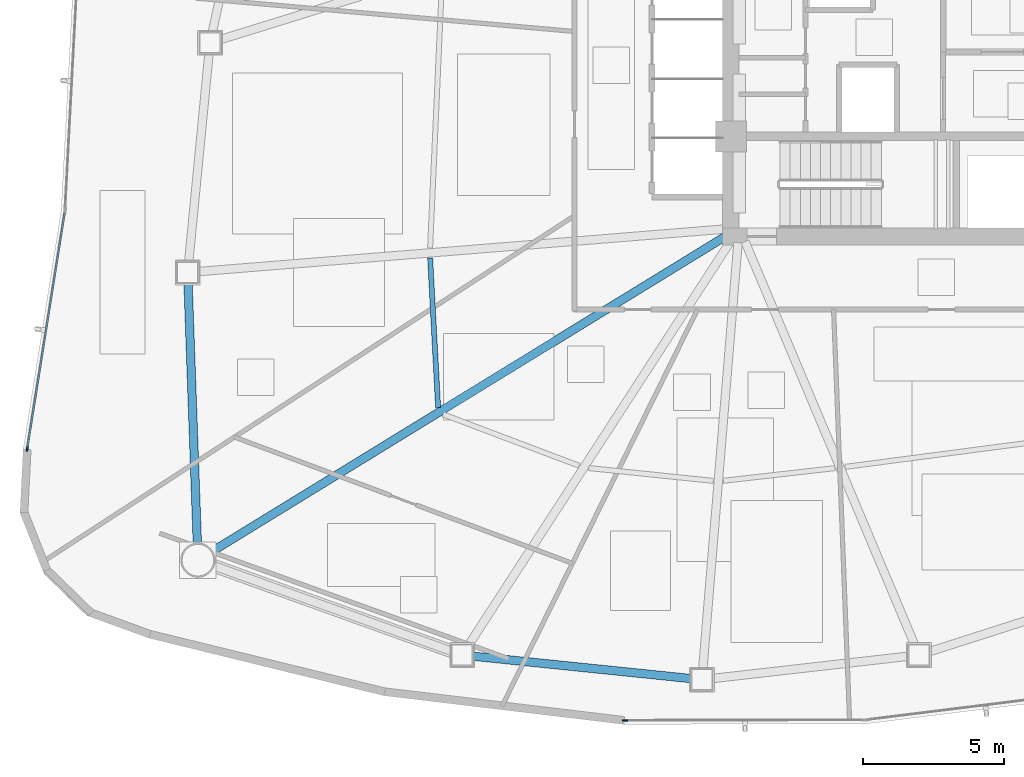
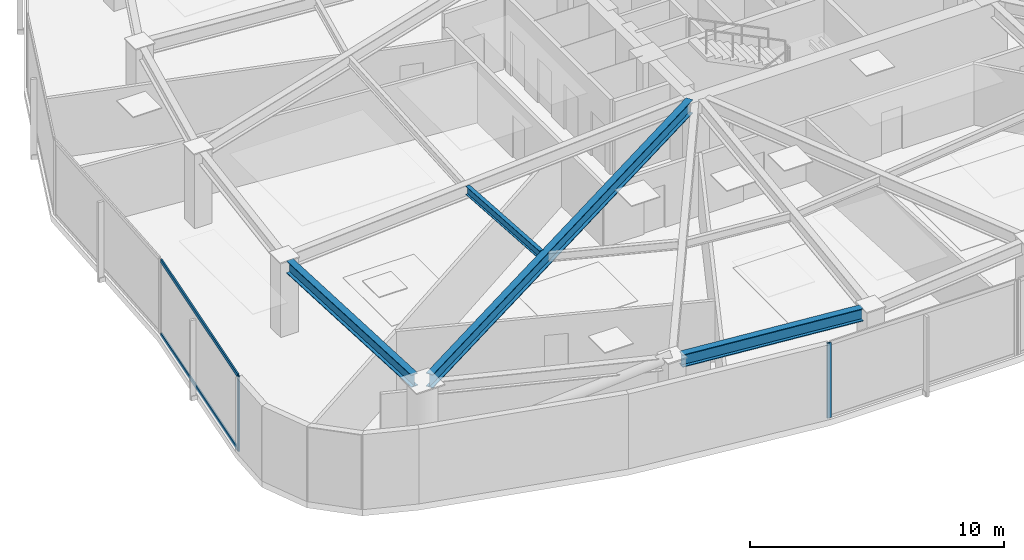
# One storey, part 2 of 17: 4 beams, 4 members, 2 elements without a shape of their own.
"""IFC4 building model written with IfcOpenShell, lengths in metres."""

import ifcopenshell
import ifcopenshell.guid

model = None  # the IFC model being written
_history = None  # IfcOwnerHistory: only IFC2X3 demands one
_inside = {}  # id of a spatial element -> (the spatial element, [elements in it])
_under = {}  # id of a project, library or spatial element -> (it, [spatial elements below it])
_declared = {}  # id of a project -> (the project, [libraries it declares])
_typed = {}  # id of a type object -> (the type object, [elements of that type])
_made_of = {}  # id of a material, layer set ... -> (it, [elements and type objects made of it])


def new_model(schema):
    """Start an empty IFC model of exactly this schema.

    Asked for "IFC4X3", IfcOpenShell would pick the latest addendum, in which some entities
    have other attributes; the version numbers below select the first issue.
    IFC2X3 requires an IfcOwnerHistory on every rooted entity: one is made here for all.
    """
    global model, _history
    if schema == "IFC4X3":
        model = ifcopenshell.file(schema_version=(4, 3, 0, 0))
    else:
        model = ifcopenshell.file(schema=schema)
    _inside.clear()
    _under.clear()
    _declared.clear()
    _typed.clear()
    _made_of.clear()
    _history = None
    if model.schema == "IFC2X3":
        org = make("IfcOrganization", Name="unknown")
        user = make(
            "IfcPersonAndOrganization",
            ThePerson=make("IfcPerson", FamilyName="unknown"),
            TheOrganization=org,
        )
        app = make(
            "IfcApplication",
            ApplicationDeveloper=org,
            Version="unknown",
            ApplicationFullName="unknown",
            ApplicationIdentifier="unknown",
        )
        _history = make(
            "IfcOwnerHistory",
            OwningUser=user,
            OwningApplication=app,
            ChangeAction="ADDED",
            CreationDate=0,
        )
    return model


def make(cls, **values):
    """One entity of the class cls with the attributes given. An attribute that is None is left unset."""
    return model.create_entity(
        cls, **{name: value for name, value in values.items() if value is not None}
    )


def rooted(cls, **values):
    """An entity with a GlobalId (a new one), such as an element, a storey or a relation."""
    return make(cls, GlobalId=ifcopenshell.guid.new(), OwnerHistory=_history, **values)


def si_unit(unit_type, name, prefix=None):
    """IfcSIUnit, for example si_unit("LENGTHUNIT", "METRE", prefix="MILLI")."""
    return make("IfcSIUnit", UnitType=unit_type, Prefix=prefix, Name=name)


def assignment(units):
    """IfcUnitAssignment: the units of a project."""
    return None if units is None else make("IfcUnitAssignment", Units=units)


def point(xyz):
    """IfcCartesianPoint."""
    return None if xyz is None else make("IfcCartesianPoint", Coordinates=xyz)


def direction(xyz):
    """IfcDirection."""
    return None if xyz is None else make("IfcDirection", DirectionRatios=xyz)


def frame(location, z_axis=None, x_axis=None):
    """IfcAxis2Placement3D, a coordinate frame: its origin and axes. An axis left out is left unset."""
    return make(
        "IfcAxis2Placement3D",
        Location=point(location),
        Axis=direction(z_axis),
        RefDirection=direction(x_axis),
    )


def frame_2d(location, x_axis=None):
    """IfcAxis2Placement2D, a coordinate frame in the plane: its origin and x axis."""
    return make(
        "IfcAxis2Placement2D", Location=point(location), RefDirection=direction(x_axis)
    )


def origin():
    """The frame at (0, 0, 0) with its axes left unset."""
    return frame((0.0, 0.0, 0.0))


def origin_2d():
    """The frame at (0, 0) in the plane with its x axis left unset."""
    return frame_2d((0.0, 0.0))


def place(relative_to, where):
    """IfcLocalPlacement: puts the frame where relative to a parent placement (None: the world)."""
    return make(
        "IfcLocalPlacement", PlacementRelTo=relative_to, RelativePlacement=where
    )


def context(
    kind, dimensions, precision=None, world=None, true_north=None, identifier=None
):
    """IfcGeometricRepresentationContext, for example the 3D "Model" context."""
    return make(
        "IfcGeometricRepresentationContext",
        ContextIdentifier=identifier,
        ContextType=kind,
        CoordinateSpaceDimension=dimensions,
        Precision=precision,
        WorldCoordinateSystem=world,
        TrueNorth=true_north,
    )


def subcontext(parent, identifier, kind, view, scale=None):
    """IfcGeometricRepresentationSubContext, for example "Body" below "Model"."""
    return make(
        "IfcGeometricRepresentationSubContext",
        ContextIdentifier=identifier,
        ContextType=kind,
        ParentContext=parent,
        TargetScale=scale,
        TargetView=view,
    )


def project(units=None, contexts=None):
    """IfcProject with its units and contexts."""
    return rooted(
        "IfcProject",
        Name="project",
        RepresentationContexts=contexts,
        UnitsInContext=assignment(units),
    )


def spatial(cls, under=None, at=None, **own):
    """A site, building, storey or space (cls), placed at a placement, below another one or the project."""
    s = rooted(cls, ObjectPlacement=at, **own)
    if under is not None:
        _under.setdefault(under.id(), (under, []))[1].append(s)
    return s


def profile(cls, at=None, kind="AREA", **sizes):
    """A parametric profile (cls). Its sizes go by their IFC names, for example OverallWidth=200.0."""
    return make(cls, ProfileType=kind, Position=at, **sizes)


def hollow_rectangle(**sizes):
    """IfcRectangleHollowProfileDef."""
    return profile("IfcRectangleHollowProfileDef", **sizes)


def i_section(**sizes):
    """IfcIShapeProfileDef."""
    return profile("IfcIShapeProfileDef", **sizes)


def extrude(swept, where, along, depth):
    """IfcExtrudedAreaSolid: the profile swept, set in the frame where, extruded along a direction by depth."""
    return make(
        "IfcExtrudedAreaSolid",
        SweptArea=swept,
        Position=where,
        ExtrudedDirection=direction(along),
        Depth=depth,
    )


def shape(context_of_items, identifier, shape_type, items):
    """IfcShapeRepresentation: the items that make up one representation, for example the "Body"."""
    return make(
        "IfcShapeRepresentation",
        ContextOfItems=context_of_items,
        RepresentationIdentifier=identifier,
        RepresentationType=shape_type,
        Items=items,
    )


def source(mapping_origin, context_of_items, identifier, shape_type, items):
    """IfcRepresentationMap: a shape defined once, which mapped items show again and again."""
    return make(
        "IfcRepresentationMap",
        MappingOrigin=mapping_origin,
        MappedRepresentation=shape(context_of_items, identifier, shape_type, items),
    )


def transform(
    local_origin,
    x_axis=None,
    y_axis=None,
    z_axis=None,
    scale=None,
    scale2=None,
    scale3=None,
    uniform=True,
):
    """IfcCartesianTransformationOperator3D, or its non-uniform kind. x_axis, y_axis, z_axis: its Axis1, 2, 3."""
    if uniform:
        return make(
            "IfcCartesianTransformationOperator3D",
            Axis1=direction(x_axis),
            Axis2=direction(y_axis),
            LocalOrigin=point(local_origin),
            Scale=scale,
            Axis3=direction(z_axis),
        )
    return make(
        "IfcCartesianTransformationOperator3DnonUniform",
        Axis1=direction(x_axis),
        Axis2=direction(y_axis),
        LocalOrigin=point(local_origin),
        Scale=scale,
        Axis3=direction(z_axis),
        Scale2=scale2,
        Scale3=scale3,
    )


def mapped(mapping_source, mapping_target):
    """IfcMappedItem: shows the shape of a source again, moved by a transform."""
    return make(
        "IfcMappedItem", MappingSource=mapping_source, MappingTarget=mapping_target
    )


def material(Name=None, Category=None):
    """IfcMaterial."""
    return make("IfcMaterial", Name=Name, Category=Category)


def layer(
    of_material, thickness, ventilated=None, Name=None, Category=None, Priority=None
):
    """IfcMaterialLayer: one layer of a wall or slab, of a material (None: an air gap)."""
    return make(
        "IfcMaterialLayer",
        Material=of_material,
        LayerThickness=thickness,
        IsVentilated=ventilated,
        Name=Name,
        Category=Category,
        Priority=Priority,
    )


def layer_set(layers, Name=None):
    """IfcMaterialLayerSet."""
    return make("IfcMaterialLayerSet", MaterialLayers=layers, LayerSetName=Name)


def material_profile(
    of_material, cross_section, Name=None, Category=None, Priority=None
):
    """IfcMaterialProfile: a cross section and its material."""
    return make(
        "IfcMaterialProfile",
        Name=Name,
        Material=of_material,
        Profile=cross_section,
        Priority=Priority,
        Category=Category,
    )


def profile_set(profiles, Name=None, composite=None):
    """IfcMaterialProfileSet."""
    return make(
        "IfcMaterialProfileSet",
        Name=Name,
        MaterialProfiles=profiles,
        CompositeProfile=composite,
    )


def made_of(thing, what):
    """Note that an element or type object is made of a material, layer set ...; save() writes the relation."""
    if what is not None:
        _made_of.setdefault(what.id(), (what, []))[1].append(thing)
    return thing


def type_object(cls, material=None, **own):
    """A type object (cls), such as IfcWallType, which elements share."""
    return made_of(rooted(cls, **own), material)


def type_shapes(of_type, sources):
    """Give a type object the sources (RepresentationMaps) that its elements show as mapped items."""
    of_type.RepresentationMaps = sources


def element(
    cls,
    number,
    at=None,
    inside=None,
    cuts=None,
    type_object=None,
    material=None,
    context=None,
    identifier="Body",
    shape_type=None,
    held_by="IfcProductDefinitionShape",
    body=None,
    shapes=None,
    **own,
):
    """One element of the class cls, such as IfcWall. Its Tag is "e" and its number.

    at: its placement. inside: the storey or other place that contains it. cuts: it is an
    opening in that element (IfcRelVoidsElement). A single representation is given by context,
    identifier, shape_type and body (its items); several are given by shapes. held_by: the class
    of the entity that holds the representations. save() writes the other relations.
    """
    e = rooted(cls, Tag="e%d" % number, ObjectPlacement=at, **own)
    if body is not None:
        shapes = [shape(context, identifier, shape_type, body)]
    if shapes is not None:
        e.Representation = make(held_by, Representations=shapes)
    if inside is not None:
        _inside.setdefault(inside.id(), (inside, []))[1].append(e)
    if cuts is not None:
        rooted(
            "IfcRelVoidsElement", RelatingBuildingElement=cuts, RelatedOpeningElement=e
        )
    if type_object is not None:
        _typed.setdefault(type_object.id(), (type_object, []))[1].append(e)
    return made_of(e, material)


def aggregate(whole, parts):
    """IfcRelAggregates: a whole, such as a stair, and the parts it consists of."""
    return rooted("IfcRelAggregates", RelatingObject=whole, RelatedObjects=parts)


def save(model, path):
    """Write the relations noted so far, then the file.

    IfcRelAggregates (storeys below a building ...), IfcRelContainedInSpatialStructure (elements
    in a storey), IfcRelDefinesByType, IfcRelAssociatesMaterial and IfcRelDeclares: one each for
    every whole, place, type object, material and project.
    """
    for whole, parts in _under.values():
        aggregate(whole, parts)
    for where, things in _inside.values():
        rooted(
            "IfcRelContainedInSpatialStructure",
            RelatedElements=things,
            RelatingStructure=where,
        )
    for kind, things in _typed.values():
        rooted("IfcRelDefinesByType", RelatedObjects=things, RelatingType=kind)
    for what, things in _made_of.values():
        rooted("IfcRelAssociatesMaterial", RelatedObjects=things, RelatingMaterial=what)
    for by, libraries in _declared.values():
        rooted("IfcRelDeclares", RelatingContext=by, RelatedDefinitions=libraries)
    model.write(path)


model = new_model("IFC4")

# Units and contexts
model_context = context("Model", 3, precision=1e-05, world=origin(), true_north=direction((0.0, 1.0)))
body_context = subcontext(model_context, "Body", "Model", "MODEL_VIEW")
ifc_project = project(units=[si_unit("LENGTHUNIT", "METRE"), si_unit("AREAUNIT", "SQUARE_METRE"), si_unit("VOLUMEUNIT", "CUBIC_METRE"), si_unit("PLANEANGLEUNIT", "RADIAN"), si_unit("MASSUNIT", "GRAM", prefix="KILO")], contexts=[model_context])

# Site, building, storey
site_placement = place(None, origin())
site = spatial("IfcSite", under=ifc_project, at=site_placement, CompositionType="ELEMENT")
building_placement = place(site_placement, origin())
building = spatial("IfcBuilding", under=site, at=building_placement, Name="Tavelor Broadcast Tower", CompositionType="ELEMENT")
storey_placement = place(building_placement, frame((0.0, 0.0, 39.300048828125)))
storey = spatial("IfcBuildingStorey", under=building, at=storey_placement, Name="L08", CompositionType="ELEMENT", Elevation=39.300048828125)

# Beams
ifc_material_1 = material(Name="Steel S355", Category="steel")
ifc_material_profile_1 = material_profile(ifc_material_1, i_section(OverallWidth=0.179931640625, OverallDepth=0.39990234375, WebThickness=0.008544921875, FlangeThickness=0.013427734375, at=origin_2d()), Name="IPE 400")
ifc_profile_set_1 = profile_set([ifc_material_profile_1], Name="Steel S355")
beam_type_1 = type_object("IfcBeamType", Name="Composite Floor Joist T1 IPE 400", PredefinedType="JOIST", material=ifc_profile_set_1)
beam_1_placement = place(storey_placement, frame((32.413330078125, 37.73095703125, 3.39990234375), z_axis=(0.053261912521, -0.998580576956, 0.0), x_axis=(0.998580576956, 0.053261912521, 0.0)))
element("IfcBeam", 1, at=beam_1_placement, inside=storey, type_object=beam_type_1, Name="L08 Secondary Composite Floor Joist 06", PredefinedType="JOIST", context=body_context, shape_type="SweptSolid", body=[
    extrude(i_section(OverallWidth=0.179931640625, OverallDepth=0.39990234375, WebThickness=0.008544921875, FlangeThickness=0.013427734375, at=origin_2d()), origin(), (0.0, 0.0, 1.0), 5.32177734375),
])
ifc_material_profile_2 = material_profile(ifc_material_1, i_section(OverallWidth=0.300048828125, OverallDepth=0.60009765625, WebThickness=0.015380859375, FlangeThickness=0.030029296875, at=origin_2d()), Name="HEB 600")
ifc_profile_set_2 = profile_set([ifc_material_profile_2], Name="Steel S355")
beam_type_2 = type_object("IfcBeamType", Name="Perimeter Spandrel Beam T1 HEB 600", PredefinedType="SPANDREL", material=ifc_profile_set_2)
beam_2_placement = place(storey_placement, frame((23.808349609375, 36.83251953125, 3.300048828125), z_axis=(0.035604109309, -0.999365972705, 0.0), x_axis=(0.999365972705, 0.035604109309, 0.0)))
element("IfcBeam", 2, at=beam_2_placement, inside=storey, type_object=beam_type_2, Name="L08 Framed-Tube Ring Spandrel 06", PredefinedType="SPANDREL", context=body_context, shape_type="SweptSolid", body=[
    extrude(i_section(OverallWidth=0.300048828125, OverallDepth=0.60009765625, WebThickness=0.015380859375, FlangeThickness=0.030029296875, at=origin_2d()), origin(), (0.0, 0.0, 1.0), 9.263916015625),
])
beam_3_placement = place(storey_placement, frame((33.932861328125, 23.576416015625, 3.300048828125), z_axis=(0.994769619219, -0.102144038879, 0.0), x_axis=(0.102144038879, 0.994769619219, 0.0)))
element("IfcBeam", 3, at=beam_3_placement, inside=storey, type_object=beam_type_2, Name="L08 Framed-Tube Ring Spandrel 08", PredefinedType="SPANDREL", context=body_context, shape_type="SweptSolid", body=[
    extrude(i_section(OverallWidth=0.300048828125, OverallDepth=0.60009765625, WebThickness=0.015380859375, FlangeThickness=0.030029296875, at=origin_2d()), origin(), (0.0, 0.0, 1.0), 7.799072265625),
])
ifc_material_profile_3 = material_profile(ifc_material_1, i_section(OverallWidth=0.300048828125, OverallDepth=0.64990234375, WebThickness=0.01611328125, FlangeThickness=0.031005859375, at=origin_2d()), Name="HEB 650")
ifc_profile_set_3 = profile_set([ifc_material_profile_3], Name="Steel S355")
beam_type_3 = type_object("IfcBeamType", Name="Radial Floor Girder T1 HEB 650", PredefinedType="BEAM", material=ifc_profile_set_3)
beam_4_placement = place(storey_placement, frame((42.949951171875, 38.523681640625, 3.27490234375), z_axis=(-0.852260376483, -0.523117817205, 0.0), x_axis=(0.523117817205, -0.852260376483, 0.0)))
element("IfcBeam", 4, at=beam_4_placement, inside=storey, type_object=beam_type_3, Name="L08 Radial Primary Floor Girder 07", PredefinedType="BEAM", context=body_context, shape_type="SweptSolid", body=[
    extrude(i_section(OverallWidth=0.300048828125, OverallDepth=0.64990234375, WebThickness=0.01611328125, FlangeThickness=0.031005859375, at=origin_2d()), origin(), (0.0, 0.0, 1.0), 21.463134765625),
])

# Curtain wall, member
ifc_material_2 = material(Name="Architectural Anodized Aluminium", Category="aluminium")
ifc_layer = layer(ifc_material_2, 0.179931640625)
ifc_layer_set = layer_set([ifc_layer], Name="Architectural Anodized Aluminium")
curtain_wall_type = type_object("IfcCurtainWallType", Name="Tower Low-Zone Unitised Curtain Wall CW02", PredefinedType="NOTDEFINED", material=ifc_layer_set)
curtain_wall_1_placement = place(storey_placement, origin())
curtain_wall_1 = element("IfcCurtainWall", 5, at=curtain_wall_1_placement, inside=storey, type_object=curtain_wall_type, Name="L08 Curtain Wall CW02 Run 52", PredefinedType="NOTDEFINED")
ifc_material_profile_4 = material_profile(ifc_material_2, hollow_rectangle(XDim=0.06494140625, YDim=0.179931640625, WallThickness=0.02197265625, at=origin_2d()), Name="RHS 65x180x22")
ifc_profile_set_4 = profile_set([ifc_material_profile_4], Name="Architectural Anodized Aluminium")
member_type_1 = type_object("IfcMemberType", Name="CW02 Extruded Aluminium Mullion 65x180", PredefinedType="MULLION", material=ifc_profile_set_4)
shared_shape_1 = source(origin(), body_context, "Body", "SweptSolid", [
    extrude(hollow_rectangle(XDim=0.06494140625, YDim=0.179931640625, WallThickness=0.02197265625, at=origin_2d()), origin(), (0.0, 0.0, 1.0), 3.599853515625),
])
type_shapes(member_type_1, [shared_shape_1])
member_1_placement = place(storey_placement, frame((18.091796875, 30.947998046875, 0.0), z_axis=(0.0, 0.0, 1.0), x_axis=(0.98762290244, -0.156847067475, 0.0)))
member_1 = element("IfcMember", 6, at=member_1_placement, type_object=member_type_1, Name="CW02 mullion 2", PredefinedType="MULLION", context=body_context, shape_type="MappedRepresentation", body=[
    mapped(shared_shape_1, transform((0.0, 0.0, 0.0), scale=1.0)),
])

curtain_wall_2_placement = place(storey_placement, origin())
curtain_wall_2 = element("IfcCurtainWall", 7, at=curtain_wall_2_placement, inside=storey, type_object=curtain_wall_type, Name="L08 Curtain Wall CW02 Run 53", PredefinedType="NOTDEFINED")
member_2_placement = place(storey_placement, frame((39.338623046875, 21.2919921875, 0.0), z_axis=(0.0, 0.0, 1.0), x_axis=(-0.002170559235, 0.999997644334, 0.0)))
member_2 = element("IfcMember", 8, at=member_2_placement, type_object=member_type_1, Name="CW02 mullion 1", PredefinedType="MULLION", context=body_context, shape_type="MappedRepresentation", body=[
    mapped(shared_shape_1, transform((0.0, 0.0, 0.0), scale=1.0)),
])
aggregate(curtain_wall_2, [member_2])

# Member
ifc_material_profile_5 = material_profile(ifc_material_2, hollow_rectangle(XDim=0.06494140625, YDim=0.179931640625, WallThickness=0.02197265625, at=origin_2d()), Name="RHS 65x180x22")
ifc_profile_set_5 = profile_set([ifc_material_profile_5], Name="Architectural Anodized Aluminium")
member_type_2 = type_object("IfcMemberType", Name="CW02 Extruded Aluminium Transom 65x180", PredefinedType="USERDEFINED", material=ifc_profile_set_5)
shared_shape_2 = source(origin(), body_context, "Body", "SweptSolid", [
    extrude(hollow_rectangle(XDim=0.06494140625, YDim=0.179931640625, WallThickness=0.02197265625, at=origin_2d()), origin(), (0.0, 0.0, 1.0), 8.4560546875),
])
type_shapes(member_type_2, [shared_shape_2])
member_3_placement = place(storey_placement, frame((19.423095703125, 39.33154296875, 0.032470703125), z_axis=(-0.156860970916, -0.987620694297, 0.0), x_axis=(0.987620694297, -0.156860970916, 0.0)))
member_3 = element("IfcMember", 9, at=member_3_placement, type_object=member_type_2, Name="CW02 transom 1.1", ObjectType="TRANSOM", PredefinedType="USERDEFINED", context=body_context, shape_type="MappedRepresentation", body=[
    mapped(shared_shape_2, transform((0.0, 0.0, 0.0), scale=1.0)),
])

member_4_placement = place(storey_placement, frame((19.423095703125, 39.33154296875, 3.5673828125), z_axis=(-0.156860970916, -0.987620694297, 0.0), x_axis=(0.987620694297, -0.156860970916, 0.0)))
member_4 = element("IfcMember", 10, at=member_4_placement, type_object=member_type_2, Name="CW02 transom 1.2", ObjectType="TRANSOM", PredefinedType="USERDEFINED", context=body_context, shape_type="MappedRepresentation", body=[
    mapped(shared_shape_2, transform((0.0, 0.0, 0.0), scale=1.0)),
])

aggregate(curtain_wall_1, [member_1, member_3, member_4])

save(model, "model.ifc")
